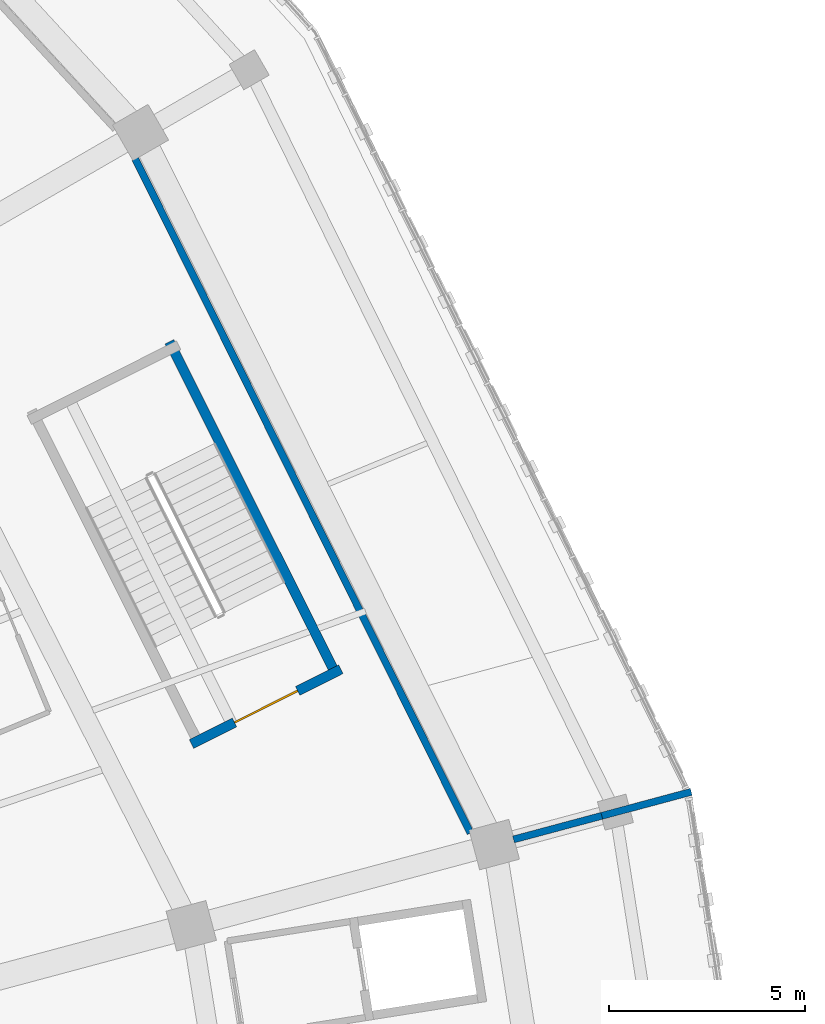
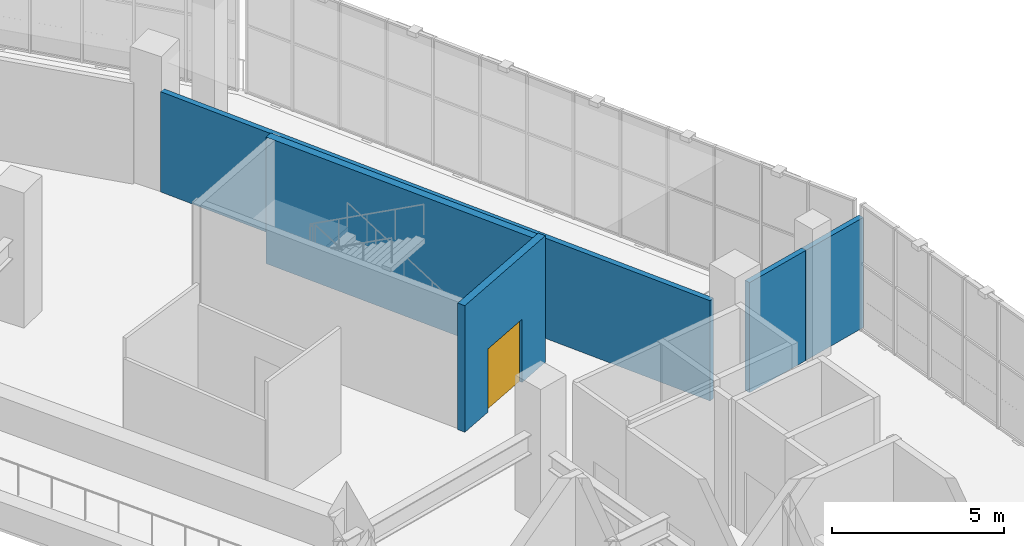
# One storey, part 106 of 179: 5 walls, 1 door, 1 opening.
"""IFC4 building model written with IfcOpenShell, lengths in metres."""

from ifc_helpers import new_model, si_unit, direction, frame, frame_2d, origin, place, context, subcontext, project, spatial, rectangle, extrude, material, layer, layer_set, type_object, element, fill, save


model = new_model("IFC4")

# Units and contexts
model_context = context("Model", 3, precision=1e-05, world=origin(), true_north=direction((0.0, 1.0)))
body_context = subcontext(model_context, "Body", "Model", "MODEL_VIEW")
ifc_project = project(units=[si_unit("LENGTHUNIT", "METRE"), si_unit("AREAUNIT", "SQUARE_METRE"), si_unit("VOLUMEUNIT", "CUBIC_METRE"), si_unit("PLANEANGLEUNIT", "RADIAN"), si_unit("MASSUNIT", "GRAM", prefix="KILO")], contexts=[model_context])

# Site, building, storey
site_placement = place(None, origin())
site = spatial("IfcSite", under=ifc_project, at=site_placement, CompositionType="ELEMENT")
building_placement = place(site_placement, origin())
building = spatial("IfcBuilding", under=site, at=building_placement, Name="Zevraka Park Crest Stadium", CompositionType="ELEMENT")
storey_placement = place(building_placement, frame((0.0, 0.0, 10.199951171875)))
storey = spatial("IfcBuildingStorey", under=building, at=storey_placement, Name="L02", CompositionType="ELEMENT", Elevation=10.199951171875)

# Walls
ifc_material_1 = material(Name="Fire-rated twin-stud acoustic drywall", Category="other")
ifc_layer_1 = layer(ifc_material_1, 0.179931640625)
ifc_layer_set_1 = layer_set([ifc_layer_1], Name="Fire-rated twin-stud acoustic drywall")
wall_type_1 = type_object("IfcWallType", Name="IW06", PredefinedType="PARTITIONING", material=ifc_layer_set_1)
wall_1_placement = place(storey_placement, frame((198.615966796875, 111.784912109375, 0.0), z_axis=(0.0, 0.0, 1.0), x_axis=(-0.445193759993, 0.895434261162, 0.0)))
element("IfcWall", 1, at=wall_1_placement, inside=storey, type_object=wall_type_1, Name="Interior Partition IW06 East Club Dining Lounge L02", PredefinedType="PARTITIONING", context=body_context, shape_type="SweptSolid", body=[
    extrude(rectangle(XDim=19.205322265625, YDim=0.179931640625, at=frame_2d((9.6025390625, 0.0))), origin(), (0.0, 0.0, 1.0), 3.56494140625),
])
wall_2_placement = place(storey_placement, frame((199.716064453125, 111.62109375, 0.0), z_axis=(0.0, 0.0, 1.0), x_axis=(0.965910621106, 0.258875784953, 0.0)))
element("IfcWall", 2, at=wall_2_placement, inside=storey, type_object=wall_type_1, Name="Interior Partition IW06 East Club Dining Lounge L02", PredefinedType="PARTITIONING", context=body_context, shape_type="SweptSolid", body=[
    extrude(rectangle(XDim=2.329345703125, YDim=0.179931640625, at=frame_2d((1.16455078125, 0.0))), origin(), (0.0, 0.0, 1.0), 3.9150390625),
])
wall_3_placement = place(storey_placement, frame((201.951904296875, 112.218994140625, 0.0), z_axis=(0.0, 0.0, 1.0), x_axis=(0.965795139673, 0.259306282579, 0.0)))
element("IfcWall", 3, at=wall_3_placement, inside=storey, type_object=wall_type_1, Name="Interior Partition IW06 East Club Dining Lounge L02", PredefinedType="PARTITIONING", context=body_context, shape_type="SweptSolid", body=[
    extrude(rectangle(XDim=2.37548828125, YDim=0.179931640625, at=frame_2d((1.187744140625, 0.0))), origin(), (0.0, 0.0, 1.0), 3.9150390625),
])
ifc_material_2 = material(Name="Concrete C40/50", Category="concrete")
ifc_layer_2 = layer(ifc_material_2, 0.25)
ifc_layer_set_2 = layer_set([ifc_layer_2], Name="Concrete C40/50")
wall_type_2 = type_object("IfcWallType", Name="SW01", PredefinedType="SHEAR", material=ifc_layer_set_2)
wall_4_placement = place(storey_placement, frame((195.214599609375, 115.7744140625, 0.0), z_axis=(0.0, 0.0, 1.0), x_axis=(-0.447919041961, 0.894074119885, 0.0)))
element("IfcWall", 4, at=wall_4_placement, inside=storey, type_object=wall_type_2, Name="Stair Core Shear Wall SW01 ST02 L02 left", PredefinedType="SHEAR", context=body_context, shape_type="SweptSolid", body=[
    extrude(rectangle(XDim=9.5498046875, YDim=0.25, at=frame_2d((4.77490234375, 0.0))), origin(), (0.0, 0.0, 1.0), 4.5),
])

# Wall, opening, door
wall_5_placement = place(storey_placement, frame((191.501708984375, 114.05419921875, 0.0), z_axis=(0.0, 0.0, 1.0), x_axis=(0.89409454548, 0.447878268888, 0.0)))
wall_5 = element("IfcWall", 5, at=wall_5_placement, inside=storey, type_object=wall_type_2, Name="Stair Core Shear Wall SW01 ST02 L02 near", PredefinedType="SHEAR", context=body_context, shape_type="SweptSolid", body=[
    extrude(rectangle(XDim=4.260009765625, YDim=0.25, at=frame_2d((2.1298828125, 0.0))), origin(), (0.0, 0.0, 1.0), 4.5),
])
opening_placement = place(wall_5_placement, frame((1.22998046875, 0.0, 0.0)))
opening = element("IfcOpeningElement", 6, at=opening_placement, cuts=wall_5, Name="Opening D-L02-011", PredefinedType="OPENING", context=body_context, shape_type="SweptSolid", body=[
    extrude(rectangle(XDim=1.800048828125, YDim=2.25, at=frame_2d((0.89990234375, 1.125))), frame((0.0, 0.135009765625, 0.0), z_axis=(0.0, -1.0, 0.0), x_axis=(1.0, 0.0, 0.0)), (0.0, 0.0, 1.0), 0.27001953125),
])
ifc_material_3 = material(Name="Solid-core hardwood timber leaf in steel frame", Category="steel")
door_type = type_object("IfcDoorType", Name="DR04", OperationType="NOTDEFINED", PredefinedType="DOOR", material=ifc_material_3)
door_placement = place(opening_placement, origin())
door = element("IfcDoor", 7, at=door_placement, inside=storey, type_object=door_type, Name="Protected Stair Entry Door ST02 L02", OperationType="DOUBLE_DOOR_SINGLE_SWING", OverallHeight=2.25, OverallWidth=1.800048828125, PredefinedType="DOOR", context=body_context, shape_type="SweptSolid", body=[
    extrude(rectangle(XDim=1.800048828125, YDim=2.25, at=frame_2d((0.89990234375, 1.125))), frame((0.0, 0.02490234375, 0.0), z_axis=(0.0, -1.0, 0.0), x_axis=(1.0, 0.0, 0.0)), (0.0, 0.0, 1.0), 0.050048828125),
])
fill(opening, door)

save(model, "model.ifc")
